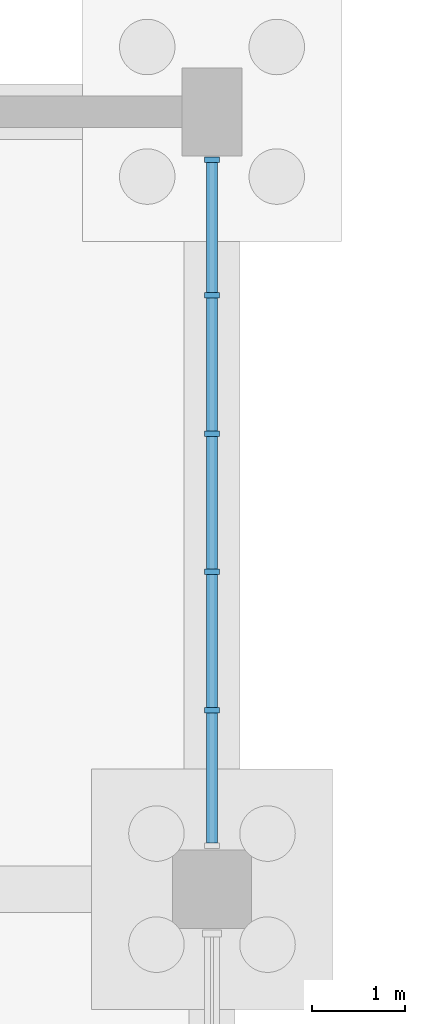
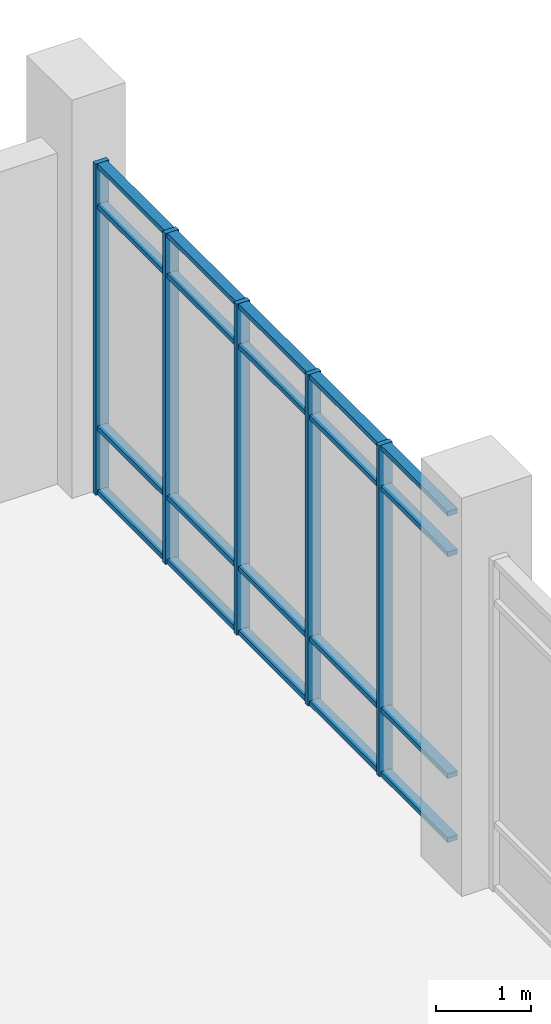
# One storey, part 69 of 136: 25 members, 1 element without a shape of its own.
"""IFC4 building model written with IfcOpenShell, lengths in metres."""

from ifc_helpers import new_model, si_unit, direction, frame, origin, origin_2d, place, context, subcontext, project, spatial, rectangle, extrude, material, material_profile, profile_set, type_object, element, aggregate, save


model = new_model("IFC4")

# Units and contexts
model_context = context("Model", 3, precision=1e-05, world=origin(), true_north=direction((0.0, 1.0)))
body_context = subcontext(model_context, "Body", "Model", "MODEL_VIEW")
ifc_project = project(units=[si_unit("LENGTHUNIT", "METRE"), si_unit("AREAUNIT", "SQUARE_METRE"), si_unit("VOLUMEUNIT", "CUBIC_METRE"), si_unit("PLANEANGLEUNIT", "RADIAN"), si_unit("MASSUNIT", "GRAM", prefix="KILO")], contexts=[model_context])

# Site, building, storey
site_placement = place(None, origin())
site = spatial("IfcSite", under=ifc_project, at=site_placement, CompositionType="ELEMENT")
building_placement = place(site_placement, origin())
building = spatial("IfcBuilding", under=site, at=building_placement, Name="Oolite Switchyard Hospital", CompositionType="ELEMENT")
storey_placement = place(building_placement, origin())
storey = spatial("IfcBuildingStorey", under=building, at=storey_placement, Name="L00", CompositionType="ELEMENT", Elevation=0.0)

# Curtain wall, members
ifc_material_1 = material(Name="Thermally broken aluminum frame with laminated impact glazing", Category="aluminium")
curtain_wall_type = type_object("IfcCurtainWallType", Name="CW-UNIT-84X51", PredefinedType="USERDEFINED", material=ifc_material_1)
curtain_wall_placement = place(storey_placement, origin())
curtain_wall = element("IfcCurtainWall", 1, at=curtain_wall_placement, inside=storey, type_object=curtain_wall_type, Name="L00 Unitised Curtain Wall 66", ObjectType="UNITISED", PredefinedType="USERDEFINED")
ifc_material_2 = material(Name="Aluminium 6063-T6", Category="aluminium")
ifc_material_profile_1 = material_profile(ifc_material_2, rectangle(XDim=0.159912109375, YDim=0.06005859375, at=origin_2d()), Name="CWM60X160")
ifc_profile_set_1 = profile_set([ifc_material_profile_1], Name="Aluminium 6063-T6")
member_type_1 = type_object("IfcMemberType", Name="CW-MUL-180", PredefinedType="MULLION", material=ifc_profile_set_1)
member_1_placement = place(storey_placement, frame((76.800048828125, 133.8798828125, 0.0), z_axis=(0.0, 0.0, 1.0), x_axis=(1.0, 0.0, 0.0)))
member_1 = element("IfcMember", 2, at=member_1_placement, type_object=member_type_1, Name="CW-06 mullion 1", PredefinedType="MULLION", context=body_context, shape_type="SweptSolid", body=[
    extrude(rectangle(XDim=0.159912109375, YDim=0.06005859375, at=origin_2d()), origin(), (0.0, 0.0, 1.0), 4.239990234375),
])
member_2_placement = place(storey_placement, frame((76.800048828125, 132.416015625, 0.0), z_axis=(0.0, 0.0, 1.0), x_axis=(1.0, 0.0, 0.0)))
member_2 = element("IfcMember", 3, at=member_2_placement, type_object=member_type_1, Name="CW-06 mullion 2", PredefinedType="MULLION", context=body_context, shape_type="SweptSolid", body=[
    extrude(rectangle(XDim=0.159912109375, YDim=0.06005859375, at=origin_2d()), origin(), (0.0, 0.0, 1.0), 4.239990234375),
])
member_3_placement = place(storey_placement, frame((76.800048828125, 130.922119140625, 0.0), z_axis=(0.0, 0.0, 1.0), x_axis=(1.0, 0.0, 0.0)))
member_3 = element("IfcMember", 4, at=member_3_placement, type_object=member_type_1, Name="CW-06 mullion 3", PredefinedType="MULLION", context=body_context, shape_type="SweptSolid", body=[
    extrude(rectangle(XDim=0.159912109375, YDim=0.06005859375, at=origin_2d()), origin(), (0.0, 0.0, 1.0), 4.239990234375),
])
member_4_placement = place(storey_placement, frame((76.800048828125, 129.427978515625, 0.0), z_axis=(0.0, 0.0, 1.0), x_axis=(1.0, 0.0, 0.0)))
member_4 = element("IfcMember", 5, at=member_4_placement, type_object=member_type_1, Name="CW-06 mullion 4", PredefinedType="MULLION", context=body_context, shape_type="SweptSolid", body=[
    extrude(rectangle(XDim=0.159912109375, YDim=0.06005859375, at=origin_2d()), origin(), (0.0, 0.0, 1.0), 4.239990234375),
])
member_5_placement = place(storey_placement, frame((76.800048828125, 127.93408203125, 0.0), z_axis=(0.0, 0.0, 1.0), x_axis=(1.0, 0.0, 0.0)))
member_5 = element("IfcMember", 6, at=member_5_placement, type_object=member_type_1, Name="CW-06 mullion 5", PredefinedType="MULLION", context=body_context, shape_type="SweptSolid", body=[
    extrude(rectangle(XDim=0.159912109375, YDim=0.06005859375, at=origin_2d()), origin(), (0.0, 0.0, 1.0), 4.239990234375),
])
ifc_material_profile_2 = material_profile(ifc_material_2, rectangle(XDim=0.1201171875, YDim=0.06005859375, at=origin_2d()), Name="CWT60X120")
ifc_profile_set_2 = profile_set([ifc_material_profile_2], Name="Aluminium 6063-T6")
member_type_2 = type_object("IfcMemberType", Name="CW-TRN-150", PredefinedType="USERDEFINED", material=ifc_profile_set_2)
member_6_placement = place(storey_placement, frame((76.800048828125, 133.85009765625, 0.030029296875), z_axis=(0.0, -1.0, 0.0), x_axis=(1.0, 0.0, 0.0)))
member_6 = element("IfcMember", 7, at=member_6_placement, type_object=member_type_2, Name="CW-06 transom 1.1", ObjectType="TRANSOM", PredefinedType="USERDEFINED", context=body_context, shape_type="SweptSolid", body=[
    extrude(rectangle(XDim=0.1201171875, YDim=0.06005859375, at=origin_2d()), origin(), (0.0, 0.0, 1.0), 1.404052734375),
])
member_7_placement = place(storey_placement, frame((76.800048828125, 133.85009765625, 0.85009765625), z_axis=(0.0, -1.0, 0.0), x_axis=(1.0, 0.0, 0.0)))
member_7 = element("IfcMember", 8, at=member_7_placement, type_object=member_type_2, Name="CW-06 transom 1.2", ObjectType="TRANSOM", PredefinedType="USERDEFINED", context=body_context, shape_type="SweptSolid", body=[
    extrude(rectangle(XDim=0.1201171875, YDim=0.06005859375, at=origin_2d()), origin(), (0.0, 0.0, 1.0), 1.404052734375),
])
member_8_placement = place(storey_placement, frame((76.800048828125, 133.85009765625, 3.68994140625), z_axis=(0.0, -1.0, 0.0), x_axis=(1.0, 0.0, 0.0)))
member_8 = element("IfcMember", 9, at=member_8_placement, type_object=member_type_2, Name="CW-06 transom 1.3", ObjectType="TRANSOM", PredefinedType="USERDEFINED", context=body_context, shape_type="SweptSolid", body=[
    extrude(rectangle(XDim=0.1201171875, YDim=0.06005859375, at=origin_2d()), origin(), (0.0, 0.0, 1.0), 1.404052734375),
])
member_9_placement = place(storey_placement, frame((76.800048828125, 133.85009765625, 4.2099609375), z_axis=(0.0, -1.0, 0.0), x_axis=(1.0, 0.0, 0.0)))
member_9 = element("IfcMember", 10, at=member_9_placement, type_object=member_type_2, Name="CW-06 transom 1.4", ObjectType="TRANSOM", PredefinedType="USERDEFINED", context=body_context, shape_type="SweptSolid", body=[
    extrude(rectangle(XDim=0.1201171875, YDim=0.06005859375, at=origin_2d()), origin(), (0.0, 0.0, 1.0), 1.404052734375),
])
member_10_placement = place(storey_placement, frame((76.800048828125, 132.385986328125, 0.030029296875), z_axis=(0.0, -1.0, 0.0), x_axis=(1.0, 0.0, 0.0)))
member_10 = element("IfcMember", 11, at=member_10_placement, type_object=member_type_2, Name="CW-06 transom 2.1", ObjectType="TRANSOM", PredefinedType="USERDEFINED", context=body_context, shape_type="SweptSolid", body=[
    extrude(rectangle(XDim=0.1201171875, YDim=0.06005859375, at=origin_2d()), origin(), (0.0, 0.0, 1.0), 1.43408203125),
])
member_11_placement = place(storey_placement, frame((76.800048828125, 132.385986328125, 0.85009765625), z_axis=(0.0, -1.0, 0.0), x_axis=(1.0, 0.0, 0.0)))
member_11 = element("IfcMember", 12, at=member_11_placement, type_object=member_type_2, Name="CW-06 transom 2.2", ObjectType="TRANSOM", PredefinedType="USERDEFINED", context=body_context, shape_type="SweptSolid", body=[
    extrude(rectangle(XDim=0.1201171875, YDim=0.06005859375, at=origin_2d()), origin(), (0.0, 0.0, 1.0), 1.43408203125),
])
member_12_placement = place(storey_placement, frame((76.800048828125, 132.385986328125, 3.68994140625), z_axis=(0.0, -1.0, 0.0), x_axis=(1.0, 0.0, 0.0)))
member_12 = element("IfcMember", 13, at=member_12_placement, type_object=member_type_2, Name="CW-06 transom 2.3", ObjectType="TRANSOM", PredefinedType="USERDEFINED", context=body_context, shape_type="SweptSolid", body=[
    extrude(rectangle(XDim=0.1201171875, YDim=0.06005859375, at=origin_2d()), origin(), (0.0, 0.0, 1.0), 1.43408203125),
])
member_13_placement = place(storey_placement, frame((76.800048828125, 132.385986328125, 4.2099609375), z_axis=(0.0, -1.0, 0.0), x_axis=(1.0, 0.0, 0.0)))
member_13 = element("IfcMember", 14, at=member_13_placement, type_object=member_type_2, Name="CW-06 transom 2.4", ObjectType="TRANSOM", PredefinedType="USERDEFINED", context=body_context, shape_type="SweptSolid", body=[
    extrude(rectangle(XDim=0.1201171875, YDim=0.06005859375, at=origin_2d()), origin(), (0.0, 0.0, 1.0), 1.43408203125),
])
member_14_placement = place(storey_placement, frame((76.800048828125, 130.89208984375, 0.030029296875), z_axis=(0.0, -1.0, 0.0), x_axis=(1.0, 0.0, 0.0)))
member_14 = element("IfcMember", 15, at=member_14_placement, type_object=member_type_2, Name="CW-06 transom 3.1", ObjectType="TRANSOM", PredefinedType="USERDEFINED", context=body_context, shape_type="SweptSolid", body=[
    extrude(rectangle(XDim=0.1201171875, YDim=0.06005859375, at=origin_2d()), origin(), (0.0, 0.0, 1.0), 1.43408203125),
])
member_15_placement = place(storey_placement, frame((76.800048828125, 130.89208984375, 0.85009765625), z_axis=(0.0, -1.0, 0.0), x_axis=(1.0, 0.0, 0.0)))
member_15 = element("IfcMember", 16, at=member_15_placement, type_object=member_type_2, Name="CW-06 transom 3.2", ObjectType="TRANSOM", PredefinedType="USERDEFINED", context=body_context, shape_type="SweptSolid", body=[
    extrude(rectangle(XDim=0.1201171875, YDim=0.06005859375, at=origin_2d()), origin(), (0.0, 0.0, 1.0), 1.43408203125),
])
member_16_placement = place(storey_placement, frame((76.800048828125, 130.89208984375, 3.68994140625), z_axis=(0.0, -1.0, 0.0), x_axis=(1.0, 0.0, 0.0)))
member_16 = element("IfcMember", 17, at=member_16_placement, type_object=member_type_2, Name="CW-06 transom 3.3", ObjectType="TRANSOM", PredefinedType="USERDEFINED", context=body_context, shape_type="SweptSolid", body=[
    extrude(rectangle(XDim=0.1201171875, YDim=0.06005859375, at=origin_2d()), origin(), (0.0, 0.0, 1.0), 1.43408203125),
])
member_17_placement = place(storey_placement, frame((76.800048828125, 130.89208984375, 4.2099609375), z_axis=(0.0, -1.0, 0.0), x_axis=(1.0, 0.0, 0.0)))
member_17 = element("IfcMember", 18, at=member_17_placement, type_object=member_type_2, Name="CW-06 transom 3.4", ObjectType="TRANSOM", PredefinedType="USERDEFINED", context=body_context, shape_type="SweptSolid", body=[
    extrude(rectangle(XDim=0.1201171875, YDim=0.06005859375, at=origin_2d()), origin(), (0.0, 0.0, 1.0), 1.43408203125),
])
member_18_placement = place(storey_placement, frame((76.800048828125, 129.39794921875, 0.030029296875), z_axis=(0.0, -1.0, 0.0), x_axis=(1.0, 0.0, 0.0)))
member_18 = element("IfcMember", 19, at=member_18_placement, type_object=member_type_2, Name="CW-06 transom 4.1", ObjectType="TRANSOM", PredefinedType="USERDEFINED", context=body_context, shape_type="SweptSolid", body=[
    extrude(rectangle(XDim=0.1201171875, YDim=0.06005859375, at=origin_2d()), origin(), (0.0, 0.0, 1.0), 1.433837890625),
])
member_19_placement = place(storey_placement, frame((76.800048828125, 129.39794921875, 0.85009765625), z_axis=(0.0, -1.0, 0.0), x_axis=(1.0, 0.0, 0.0)))
member_19 = element("IfcMember", 20, at=member_19_placement, type_object=member_type_2, Name="CW-06 transom 4.2", ObjectType="TRANSOM", PredefinedType="USERDEFINED", context=body_context, shape_type="SweptSolid", body=[
    extrude(rectangle(XDim=0.1201171875, YDim=0.06005859375, at=origin_2d()), origin(), (0.0, 0.0, 1.0), 1.433837890625),
])
member_20_placement = place(storey_placement, frame((76.800048828125, 129.39794921875, 3.68994140625), z_axis=(0.0, -1.0, 0.0), x_axis=(1.0, 0.0, 0.0)))
member_20 = element("IfcMember", 21, at=member_20_placement, type_object=member_type_2, Name="CW-06 transom 4.3", ObjectType="TRANSOM", PredefinedType="USERDEFINED", context=body_context, shape_type="SweptSolid", body=[
    extrude(rectangle(XDim=0.1201171875, YDim=0.06005859375, at=origin_2d()), origin(), (0.0, 0.0, 1.0), 1.433837890625),
])
member_21_placement = place(storey_placement, frame((76.800048828125, 129.39794921875, 4.2099609375), z_axis=(0.0, -1.0, 0.0), x_axis=(1.0, 0.0, 0.0)))
member_21 = element("IfcMember", 22, at=member_21_placement, type_object=member_type_2, Name="CW-06 transom 4.4", ObjectType="TRANSOM", PredefinedType="USERDEFINED", context=body_context, shape_type="SweptSolid", body=[
    extrude(rectangle(XDim=0.1201171875, YDim=0.06005859375, at=origin_2d()), origin(), (0.0, 0.0, 1.0), 1.433837890625),
])
member_22_placement = place(storey_placement, frame((76.800048828125, 127.904052734375, 0.030029296875), z_axis=(0.0, -1.0, 0.0), x_axis=(1.0, 0.0, 0.0)))
member_22 = element("IfcMember", 23, at=member_22_placement, type_object=member_type_2, Name="CW-06 transom 5.1", ObjectType="TRANSOM", PredefinedType="USERDEFINED", context=body_context, shape_type="SweptSolid", body=[
    extrude(rectangle(XDim=0.1201171875, YDim=0.06005859375, at=origin_2d()), origin(), (0.0, 0.0, 1.0), 1.404052734375),
])
member_23_placement = place(storey_placement, frame((76.800048828125, 127.904052734375, 0.85009765625), z_axis=(0.0, -1.0, 0.0), x_axis=(1.0, 0.0, 0.0)))
member_23 = element("IfcMember", 24, at=member_23_placement, type_object=member_type_2, Name="CW-06 transom 5.2", ObjectType="TRANSOM", PredefinedType="USERDEFINED", context=body_context, shape_type="SweptSolid", body=[
    extrude(rectangle(XDim=0.1201171875, YDim=0.06005859375, at=origin_2d()), origin(), (0.0, 0.0, 1.0), 1.404052734375),
])
member_24_placement = place(storey_placement, frame((76.800048828125, 127.904052734375, 3.68994140625), z_axis=(0.0, -1.0, 0.0), x_axis=(1.0, 0.0, 0.0)))
member_24 = element("IfcMember", 25, at=member_24_placement, type_object=member_type_2, Name="CW-06 transom 5.3", ObjectType="TRANSOM", PredefinedType="USERDEFINED", context=body_context, shape_type="SweptSolid", body=[
    extrude(rectangle(XDim=0.1201171875, YDim=0.06005859375, at=origin_2d()), origin(), (0.0, 0.0, 1.0), 1.404052734375),
])
member_25_placement = place(storey_placement, frame((76.800048828125, 127.904052734375, 4.2099609375), z_axis=(0.0, -1.0, 0.0), x_axis=(1.0, 0.0, 0.0)))
member_25 = element("IfcMember", 26, at=member_25_placement, type_object=member_type_2, Name="CW-06 transom 5.4", ObjectType="TRANSOM", PredefinedType="USERDEFINED", context=body_context, shape_type="SweptSolid", body=[
    extrude(rectangle(XDim=0.1201171875, YDim=0.06005859375, at=origin_2d()), origin(), (0.0, 0.0, 1.0), 1.404052734375),
])
aggregate(curtain_wall, [member_1, member_2, member_3, member_4, member_5, member_6, member_7, member_8, member_9, member_10, member_11, member_12, member_13, member_14, member_15, member_16, member_17, member_18, member_19, member_20, member_21, member_22, member_23, member_24, member_25])

save(model, "model.ifc")
